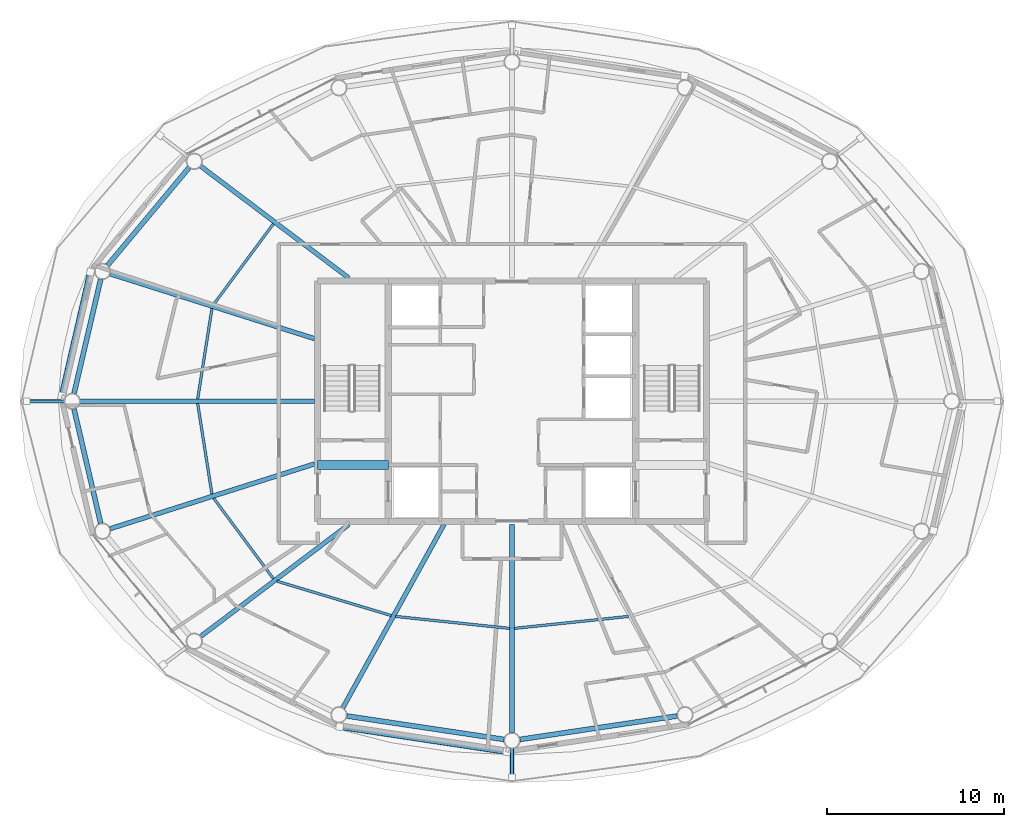
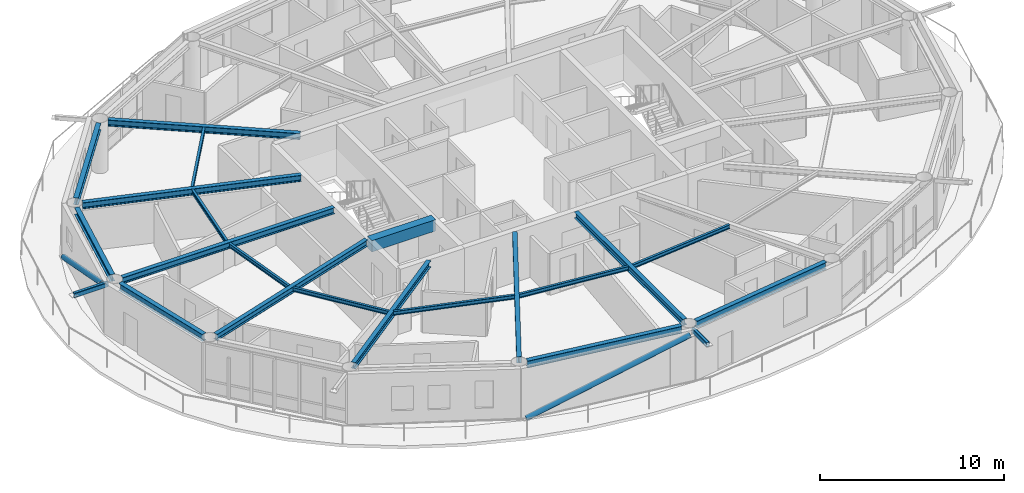
# One storey, part 4 of 22: 20 beams, 4 members.
"""IFC4 building model written with IfcOpenShell, lengths in metres."""

from ifc_helpers import new_model, si_unit, direction, frame, origin, origin_2d, place, context, subcontext, project, spatial, rectangle, hollow_rectangle, hollow_circle, i_section, extrude, material, material_profile, profile_set, type_object, element, save


model = new_model("IFC4")

# Units and contexts
model_context = context("Model", 3, precision=1e-05, world=origin(), true_north=direction((0.0, 1.0)))
body_context = subcontext(model_context, "Body", "Model", "MODEL_VIEW")
ifc_project = project(units=[si_unit("LENGTHUNIT", "METRE"), si_unit("AREAUNIT", "SQUARE_METRE"), si_unit("VOLUMEUNIT", "CUBIC_METRE"), si_unit("PLANEANGLEUNIT", "RADIAN"), si_unit("MASSUNIT", "GRAM", prefix="KILO")], contexts=[model_context])

# Site, building, storey
site_placement = place(None, origin())
site = spatial("IfcSite", under=ifc_project, at=site_placement, CompositionType="ELEMENT")
building_placement = place(site_placement, origin())
building = spatial("IfcBuilding", under=site, at=building_placement, Name="Sarneth Arch Tower", CompositionType="ELEMENT")
storey_placement = place(building_placement, frame((0.0, 0.0, 294.60009765625)))
storey = spatial("IfcBuildingStorey", under=building, at=storey_placement, Name="L76", CompositionType="ELEMENT", Elevation=294.60009765625)

# Beams
ifc_material_1 = material(Name="Steel S355", Category="steel")
ifc_material_profile_1 = material_profile(ifc_material_1, i_section(OverallWidth=0.14794921875, OverallDepth=0.26611328125, WebThickness=0.007568359375, FlangeThickness=0.012939453125, FilletRadius=0.012939453125, at=origin_2d()), Name="W250x44.8")
ifc_profile_set_1 = profile_set([ifc_material_profile_1], Name="Steel S355")
beam_type_1 = type_object("IfcBeamType", Name="BM-JOIST-250", PredefinedType="JOIST", material=ifc_profile_set_1)
beam_1_placement = place(storey_placement, frame((34.4970703125, 52.03564453125, 3.23681640625), z_axis=(-0.595712519616, -0.803197730309, 0.0), x_axis=(0.803197730309, -0.595712519616, 0.0)))
element("IfcBeam", 1, at=beam_1_placement, inside=storey, type_object=beam_type_1, Name="L76 Secondary floor joist 07", PredefinedType="JOIST", context=body_context, shape_type="SweptSolid", body=[
    extrude(i_section(OverallWidth=0.14794921875, OverallDepth=0.26611328125, WebThickness=0.007568359375, FlangeThickness=0.012939453125, FilletRadius=0.012939453125, at=origin_2d()), origin(), (0.0, 0.0, 1.0), 5.669189453125),
])
for number, where, z_axis, x_axis, name in (
    (2, (31.0224609375, 47.249267578125, 3.23681640625), (-0.155556266572, -0.987827033407, 0.0), (0.987827033407, -0.155556266572, 0.0), "L76 Secondary floor joist 08"),
    (3, (30.216064453125, 41.87158203125, 3.23681640625), (0.155556266572, -0.987827033407, 0.0), (0.987827033407, 0.155556266572, 0.0), "L76 Secondary floor joist 09"),
):
    element("IfcBeam", number, at=place(storey_placement, frame(where, z_axis=z_axis, x_axis=x_axis)), inside=storey, type_object=beam_type_1, Name=name, PredefinedType="JOIST", context=body_context, shape_type="SweptSolid", body=[
        extrude(i_section(OverallWidth=0.14794921875, OverallDepth=0.26611328125, WebThickness=0.007568359375, FlangeThickness=0.012939453125, FilletRadius=0.012939453125, at=origin_2d()), origin(), (0.0, 0.0, 1.0), 5.183837890625),
    ])
beam_2_placement = place(storey_placement, frame((31.119873046875, 36.517822265625, 3.23681640625), z_axis=(0.595712519616, -0.803197730309, 0.0), x_axis=(0.803197730309, 0.595712519616, 0.0)))
element("IfcBeam", 4, at=beam_2_placement, inside=storey, type_object=beam_type_1, Name="L76 Secondary floor joist 10", PredefinedType="JOIST", context=body_context, shape_type="SweptSolid", body=[
    extrude(i_section(OverallWidth=0.14794921875, OverallDepth=0.26611328125, WebThickness=0.007568359375, FlangeThickness=0.012939453125, FilletRadius=0.012939453125, at=origin_2d()), origin(), (0.0, 0.0, 1.0), 5.669189453125),
])
beam_3_placement = place(storey_placement, frame((34.698974609375, 31.822509765625, 3.23681640625), z_axis=(0.95760703602, -0.288077705776, 0.0), x_axis=(0.288077705776, 0.95760703602, 0.0)))
element("IfcBeam", 5, at=beam_3_placement, inside=storey, type_object=beam_type_1, Name="L76 Secondary floor joist 11", PredefinedType="JOIST", context=body_context, shape_type="SweptSolid", body=[
    extrude(i_section(OverallWidth=0.14794921875, OverallDepth=0.26611328125, WebThickness=0.007568359375, FlangeThickness=0.012939453125, FilletRadius=0.012939453125, at=origin_2d()), origin(), (0.0, 0.0, 1.0), 6.7509765625),
])
for number, where, z_axis, x_axis, name in (
    (6, (41.417724609375, 29.82666015625, 3.23681640625), (0.994564879221, -0.104118687178, 0.0), (0.104118687178, 0.994564879221, 0.0), "L76 Secondary floor joist 12"),
    (7, (48.12939453125, 29.151123046875, 3.23681640625), (0.994564879221, 0.104118687178, 0.0), (-0.104118687178, 0.994564879221, 0.0), "L76 Secondary floor joist 13"),
):
    element("IfcBeam", number, at=place(storey_placement, frame(where, z_axis=z_axis, x_axis=x_axis)), inside=storey, type_object=beam_type_1, Name=name, PredefinedType="JOIST", context=body_context, shape_type="SweptSolid", body=[
        extrude(i_section(OverallWidth=0.14794921875, OverallDepth=0.26611328125, WebThickness=0.007568359375, FlangeThickness=0.012939453125, FilletRadius=0.012939453125, at=origin_2d()), origin(), (0.0, 0.0, 1.0), 6.488037109375),
    ])
ifc_material_2 = material(Name="Concrete C50/60", Category="concrete")
ifc_material_profile_2 = material_profile(ifc_material_2, rectangle(XDim=0.5, YDim=0.75, at=origin_2d()), Name="RC-500x750")
ifc_profile_set_2 = profile_set([ifc_material_profile_2], Name="Concrete C50/60")
beam_type_2 = type_object("IfcBeamType", Name="BM-LINTEL-RC", PredefinedType="LINTEL", material=ifc_profile_set_2)
beam_4_placement = place(storey_placement, frame((37.0, 38.39990234375, 2.994873046875), z_axis=(1.0, 0.0, 0.0), x_axis=(0.0, 1.0, 0.0)))
element("IfcBeam", 8, at=beam_4_placement, inside=storey, type_object=beam_type_2, Name="L76 Core coupling lintel W", PredefinedType="LINTEL", context=body_context, shape_type="SweptSolid", body=[
    extrude(rectangle(XDim=0.5, YDim=0.75, at=origin_2d()), origin(), (0.0, 0.0, 1.0), 4.0),
])
ifc_material_3 = material(Name="Steel S355", Category="steel")
ifc_material_profile_3 = material_profile(ifc_material_3, i_section(OverallWidth=0.260009765625, OverallDepth=0.4150390625, WebThickness=0.010009765625, FlangeThickness=0.016845703125, FilletRadius=0.01611328125, at=origin_2d()), Name="W410x100")
ifc_profile_set_3 = profile_set([ifc_material_profile_3], Name="Steel S355")
beam_type_3 = type_object("IfcBeamType", Name="BM-RAD-410A", PredefinedType="BEAM", material=ifc_profile_set_3)
beam_5_placement = place(storey_placement, frame((38.76513671875, 48.97509765625, 3.162353515625), z_axis=(-0.797981595352, 0.602681817777, 0.0), x_axis=(-0.602681817777, -0.797981595352, 0.0)))
element("IfcBeam", 9, at=beam_5_placement, inside=storey, type_object=beam_type_3, Name="L76 Radial floor girder 07", PredefinedType="BEAM", context=body_context, shape_type="SweptSolid", body=[
    extrude(i_section(OverallWidth=0.260009765625, OverallDepth=0.4150390625, WebThickness=0.010009765625, FlangeThickness=0.016845703125, FilletRadius=0.01611328125, at=origin_2d()), origin(), (0.0, 0.0, 1.0), 10.503173828125),
])
beam_6_placement = place(storey_placement, frame((36.824951171875, 45.5439453125, 3.162353515625), z_axis=(-0.95321762769, 0.302284889237, 0.0), x_axis=(-0.302284889237, -0.95321762769, 0.0)))
element("IfcBeam", 10, at=beam_6_placement, inside=storey, type_object=beam_type_3, Name="L76 Radial floor girder 08", PredefinedType="BEAM", context=body_context, shape_type="SweptSolid", body=[
    extrude(i_section(OverallWidth=0.260009765625, OverallDepth=0.4150390625, WebThickness=0.010009765625, FlangeThickness=0.016845703125, FilletRadius=0.01611328125, at=origin_2d()), origin(), (0.0, 0.0, 1.0), 12.132568359375),
])
beam_7_placement = place(storey_placement, frame((36.824951171875, 42.0, 3.162353515625), z_axis=(-1.0, 0.0, 0.0), x_axis=(0.0, -1.0, 0.0)))
element("IfcBeam", 11, at=beam_7_placement, inside=storey, type_object=beam_type_3, Name="L76 Radial floor girder 09", PredefinedType="BEAM", context=body_context, shape_type="SweptSolid", body=[
    extrude(i_section(OverallWidth=0.260009765625, OverallDepth=0.4150390625, WebThickness=0.010009765625, FlangeThickness=0.016845703125, FilletRadius=0.01611328125, at=origin_2d()), origin(), (0.0, 0.0, 1.0), 13.258056640625),
])
beam_8_placement = place(storey_placement, frame((36.824951171875, 38.4560546875, 3.162353515625), z_axis=(-0.95321762769, -0.302284889237, 0.0), x_axis=(0.302284889237, -0.95321762769, 0.0)))
element("IfcBeam", 12, at=beam_8_placement, inside=storey, type_object=beam_type_3, Name="L76 Radial floor girder 10", PredefinedType="BEAM", context=body_context, shape_type="SweptSolid", body=[
    extrude(i_section(OverallWidth=0.260009765625, OverallDepth=0.4150390625, WebThickness=0.010009765625, FlangeThickness=0.016845703125, FilletRadius=0.01611328125, at=origin_2d()), origin(), (0.0, 0.0, 1.0), 12.132568359375),
])
beam_9_placement = place(storey_placement, frame((38.76513671875, 35.02490234375, 3.162353515625), z_axis=(-0.797981595352, -0.602681817777, 0.0), x_axis=(0.602681817777, -0.797981595352, 0.0)))
element("IfcBeam", 13, at=beam_9_placement, inside=storey, type_object=beam_type_3, Name="L76 Radial floor girder 11", PredefinedType="BEAM", context=body_context, shape_type="SweptSolid", body=[
    extrude(i_section(OverallWidth=0.260009765625, OverallDepth=0.4150390625, WebThickness=0.010009765625, FlangeThickness=0.016845703125, FilletRadius=0.01611328125, at=origin_2d()), origin(), (0.0, 0.0, 1.0), 10.503173828125),
])
beam_10_placement = place(storey_placement, frame((44.150146484375, 35.02490234375, 3.162353515625), z_axis=(-0.483229367873, -0.875493790969, 0.0), x_axis=(0.875493790969, -0.483229367873, 0.0)))
element("IfcBeam", 14, at=beam_10_placement, inside=storey, type_object=beam_type_3, Name="L76 Radial floor girder 12", PredefinedType="BEAM", context=body_context, shape_type="SweptSolid", body=[
    extrude(i_section(OverallWidth=0.260009765625, OverallDepth=0.4150390625, WebThickness=0.010009765625, FlangeThickness=0.016845703125, FilletRadius=0.01611328125, at=origin_2d()), origin(), (0.0, 0.0, 1.0), 11.843994140625),
])
beam_11_placement = place(storey_placement, frame((48.0, 35.02490234375, 3.162353515625), z_axis=(0.0, -1.0, 0.0), x_axis=(1.0, 0.0, 0.0)))
element("IfcBeam", 15, at=beam_11_placement, inside=storey, type_object=beam_type_3, Name="L76 Radial floor girder 13", PredefinedType="BEAM", context=body_context, shape_type="SweptSolid", body=[
    extrude(i_section(OverallWidth=0.260009765625, OverallDepth=0.4150390625, WebThickness=0.010009765625, FlangeThickness=0.016845703125, FilletRadius=0.01611328125, at=origin_2d()), origin(), (0.0, 0.0, 1.0), 11.77490234375),
])
ifc_material_4 = material(Name="Steel S355", Category="steel")
ifc_material_profile_4 = material_profile(ifc_material_4, i_section(OverallWidth=0.280029296875, OverallDepth=0.462890625, WebThickness=0.0107421875, FlangeThickness=0.017333984375, FilletRadius=0.01806640625, at=origin_2d()), Name="W460x113")
ifc_profile_set_4 = profile_set([ifc_material_profile_4], Name="Steel S355")
beam_type_4 = type_object("IfcBeamType", Name="BM-RAD-460A", PredefinedType="BEAM", material=ifc_profile_set_4)
beam_12_placement = place(storey_placement, frame((29.736572265625, 55.230712890625, 3.138427734375), z_axis=(-0.640390876881, -0.768049168222, 0.0), x_axis=(0.768049168222, -0.640390876881, 0.0)))
element("IfcBeam", 16, at=beam_12_placement, inside=storey, type_object=beam_type_4, Name="L76 Perimeter spandrel beam 07", PredefinedType="BEAM", context=body_context, shape_type="SweptSolid", body=[
    extrude(i_section(OverallWidth=0.280029296875, OverallDepth=0.462890625, WebThickness=0.0107421875, FlangeThickness=0.017333984375, FilletRadius=0.01806640625, at=origin_2d()), origin(), (0.0, 0.0, 1.0), 7.2099609375),
])
for number, where, z_axis, x_axis, name in (
    (17, (24.72900390625, 48.9091796875, 3.138427734375), (-0.227247037844, -0.973837144389, 0.0), (0.973837144389, -0.227247037844, 0.0), "L76 Perimeter spandrel beam 08"),
    (18, (23.218994140625, 41.561767578125, 3.138427734375), (0.227247037844, -0.973837144389, 0.0), (0.973837144389, 0.227247037844, 0.0), "L76 Perimeter spandrel beam 09"),
):
    element("IfcBeam", number, at=place(storey_placement, frame(where, z_axis=z_axis, x_axis=x_axis)), inside=storey, type_object=beam_type_4, Name=name, PredefinedType="BEAM", context=body_context, shape_type="SweptSolid", body=[
        extrude(i_section(OverallWidth=0.280029296875, OverallDepth=0.462890625, WebThickness=0.0107421875, FlangeThickness=0.017333984375, FilletRadius=0.01806640625, at=origin_2d()), origin(), (0.0, 0.0, 1.0), 6.644775390625),
    ])
for number, where, z_axis, x_axis, name in (
    (19, (38.654296875, 24.195068359375, 3.138427734375), (0.989041765772, -0.147635990052, 0.0), (0.147635990052, 0.989041765772, 0.0), "L76 Perimeter spandrel beam 12"),
    (20, (48.445068359375, 22.866455078125, 3.138427734375), (0.989041765772, 0.147635990052, 0.0), (-0.147635990052, 0.989041765772, 0.0), "L76 Perimeter spandrel beam 13"),
):
    element("IfcBeam", number, at=place(storey_placement, frame(where, z_axis=z_axis, x_axis=x_axis)), inside=storey, type_object=beam_type_4, Name=name, PredefinedType="BEAM", context=body_context, shape_type="SweptSolid", body=[
        extrude(i_section(OverallWidth=0.280029296875, OverallDepth=0.462890625, WebThickness=0.0107421875, FlangeThickness=0.017333984375, FilletRadius=0.01806640625, at=origin_2d()), origin(), (0.0, 0.0, 1.0), 8.999267578125),
    ])

# Members
ifc_material_5 = material(Name="Steel S355", Category="steel")
ifc_material_profile_5 = material_profile(ifc_material_5, hollow_rectangle(XDim=0.199951171875, YDim=0.300048828125, WallThickness=0.012451171875, InnerFilletRadius=0.018798828125, OuterFilletRadius=0.03125, at=origin_2d()), Name="RHS300x200x12.5")
ifc_profile_set_5 = profile_set([ifc_material_profile_5], Name="Steel S355")
member_type_1 = type_object("IfcMemberType", Name="MEM-CANT-STRUT", PredefinedType="STRUT", material=ifc_profile_set_5)
member_1_placement = place(storey_placement, frame((22.666748046875, 42.0, 3.2099609375), z_axis=(-1.0, 0.0, 0.0), x_axis=(0.0, -1.0, 0.0)))
element("IfcMember", 21, at=member_1_placement, inside=storey, type_object=member_type_1, Name="L76 Balcony cantilever bracket 09", PredefinedType="STRUT", context=body_context, shape_type="SweptSolid", body=[
    extrude(hollow_rectangle(XDim=0.199951171875, YDim=0.300048828125, WallThickness=0.012451171875, InnerFilletRadius=0.018798828125, OuterFilletRadius=0.03125, at=origin_2d()), origin(), (0.0, 0.0, 1.0), 2.126220703125),
])
member_2_placement = place(storey_placement, frame((48.0, 22.35009765625, 3.2099609375), z_axis=(0.0, -1.0, 0.0), x_axis=(1.0, 0.0, 0.0)))
element("IfcMember", 22, at=member_2_placement, inside=storey, type_object=member_type_1, Name="L76 Balcony cantilever bracket 13", PredefinedType="STRUT", context=body_context, shape_type="SweptSolid", body=[
    extrude(hollow_rectangle(XDim=0.199951171875, YDim=0.300048828125, WallThickness=0.012451171875, InnerFilletRadius=0.018798828125, OuterFilletRadius=0.03125, at=origin_2d()), origin(), (0.0, 0.0, 1.0), 1.623779296875),
])
ifc_material_6 = material(Name="Steel S355", Category="steel")
ifc_material_profile_6 = material_profile(ifc_material_6, hollow_circle(Radius=0.162109375, WallThickness=0.012451171875, at=origin_2d()), Name="CHS324x12.5")
ifc_profile_set_6 = profile_set([ifc_material_profile_6], Name="Steel S355")
member_type_2 = type_object("IfcMemberType", Name="MEM-DIAG-BR3", PredefinedType="BRACE", material=ifc_profile_set_6)
member_3_placement = place(storey_placement, frame((24.148193359375, 49.3154296875, 0.02001953125), z_axis=(-0.207345906073, -0.896276435764, 0.392041102347), x_axis=(0.974268900284, -0.225388797281, 0.0)))
element("IfcMember", 23, at=member_3_placement, inside=storey, type_object=member_type_2, Name="L76 Perimeter frame diagonal 08", PredefinedType="BRACE", context=body_context, shape_type="SweptSolid", body=[
    extrude(hollow_circle(Radius=0.162109375, WallThickness=0.012451171875, at=origin_2d()), origin(), (0.0, 0.0, 1.0), 7.8359375),
])
member_4_placement = place(storey_placement, frame((38.245849609375, 23.588623046875, 0.02001953125), z_axis=(0.941478053537, -0.141763681302, 0.305813886821), x_axis=(0.148897148305, 0.988852688335, 0.0)))
element("IfcMember", 24, at=member_4_placement, inside=storey, type_object=member_type_2, Name="L76 Perimeter frame diagonal 12", PredefinedType="BRACE", context=body_context, shape_type="SweptSolid", body=[
    extrude(hollow_circle(Radius=0.162109375, WallThickness=0.012451171875, at=origin_2d()), origin(), (0.0, 0.0, 1.0), 10.04541015625),
])

save(model, "model.ifc")
